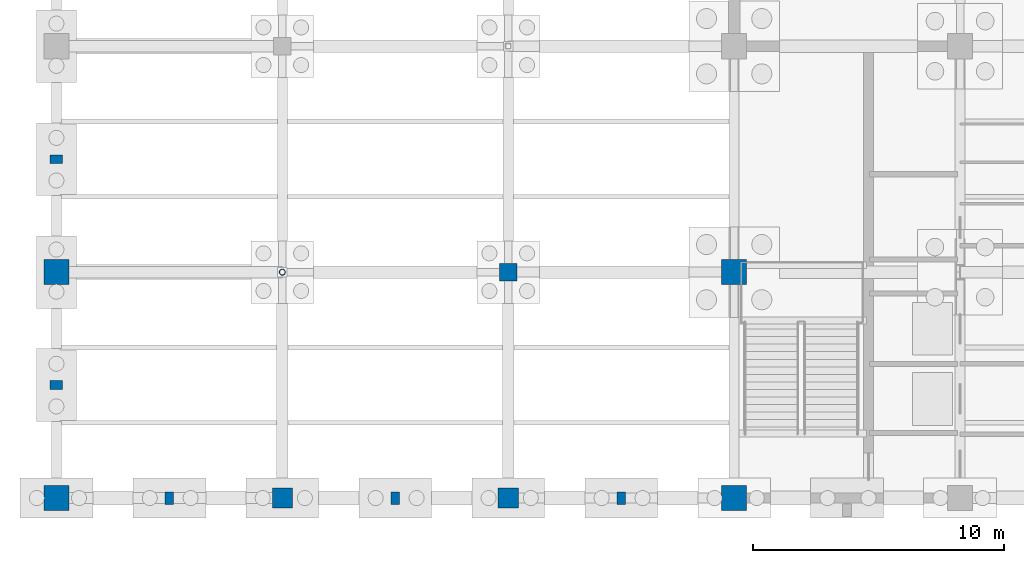
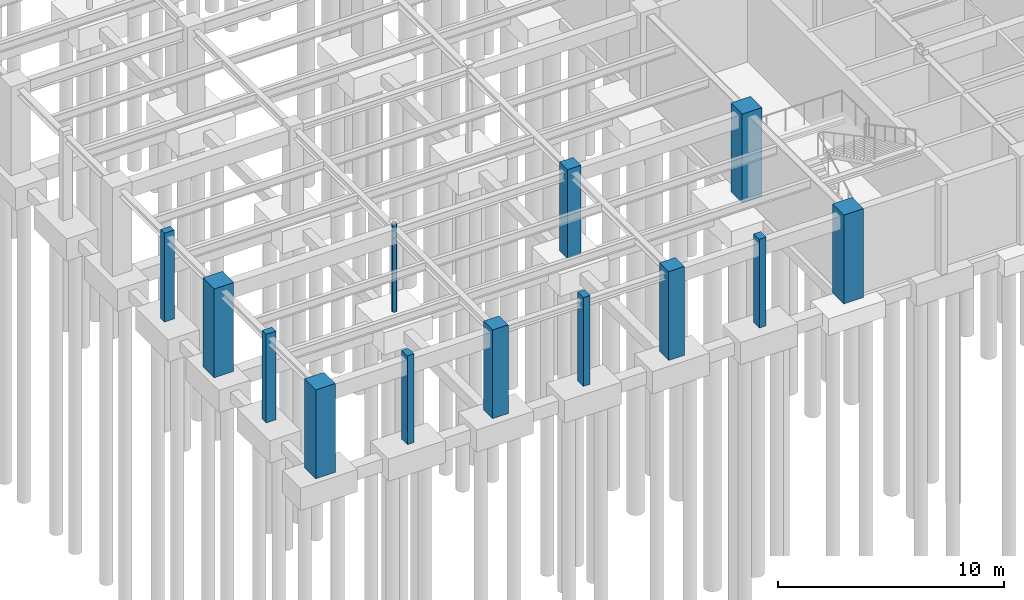
# One storey, part 10 of 49: 13 columns.
"""IFC4 building model written with IfcOpenShell, lengths in metres."""

from ifc_helpers import new_model, si_unit, direction, frame, origin, origin_2d, place, context, subcontext, project, spatial, rectangle, hollow_circle, extrude, material, material_profile, profile_set, type_object, element, save


model = new_model("IFC4")

# Units and contexts
model_context = context("Model", 3, precision=1e-05, world=origin(), true_north=direction((0.0, 1.0)))
body_context = subcontext(model_context, "Body", "Model", "MODEL_VIEW")
ifc_project = project(units=[si_unit("LENGTHUNIT", "METRE"), si_unit("AREAUNIT", "SQUARE_METRE"), si_unit("VOLUMEUNIT", "CUBIC_METRE"), si_unit("PLANEANGLEUNIT", "RADIAN"), si_unit("MASSUNIT", "GRAM", prefix="KILO")], contexts=[model_context])

# Site, building, storey
site_placement = place(None, origin())
site = spatial("IfcSite", under=ifc_project, at=site_placement, CompositionType="ELEMENT")
building_placement = place(site_placement, origin())
building = spatial("IfcBuilding", under=site, at=building_placement, Name="Lykobir Media Centre", CompositionType="ELEMENT")
storey_placement = place(building_placement, frame((0.0, 0.0, -4.800048828125)))
storey = spatial("IfcBuildingStorey", under=building, at=storey_placement, Name="B1", CompositionType="ELEMENT", Elevation=-4.800048828125)

# Columns
ifc_material_1 = material(Name="Honed Travertine Stone", Category="masonry")
ifc_material_profile_1 = material_profile(ifc_material_1, rectangle(XDim=0.35009765625, YDim=0.5, at=origin_2d()), Name="RC PILASTER 500x350")
ifc_profile_set_1 = profile_set([ifc_material_profile_1], Name="Honed Travertine Stone")
column_type_1 = type_object("IfcColumnType", Name="PIL-500", PredefinedType="PILASTER", material=ifc_profile_set_1)
for number, where, z_axis, x_axis, name in (
    (1, (4.5, 0.0, 0.0), (0.0, 0.0, 1.0), (1.0, 0.0, 0.0), "V1 south pilaster B1 4.5"),
    (2, (13.5, 0.0, 0.0), (0.0, 0.0, 1.0), (1.0, 0.0, 0.0), "V1 south pilaster B1 13.5"),
    (3, (22.5, 0.0, 0.0), (0.0, 0.0, 1.0), (1.0, 0.0, 0.0), "V1 south pilaster B1 22.5"),
    (4, (0.0, 4.5, 0.0), (0.0, 0.0, 1.0), (0.0, 1.0, 0.0), "V1 west pilaster B1 4.5"),
    (5, (0.0, 13.5, 0.0), (0.0, 0.0, 1.0), (0.0, 1.0, 0.0), "V1 west pilaster B1 13.5"),
):
    element("IfcColumn", number, at=place(storey_placement, frame(where, z_axis=z_axis, x_axis=x_axis)), inside=storey, type_object=column_type_1, Name=name, PredefinedType="PILASTER", context=body_context, shape_type="SweptSolid", body=[
        extrude(rectangle(XDim=0.35009765625, YDim=0.5, at=origin_2d()), origin(), (0.0, 0.0, 1.0), 4.800048828125),
    ])
ifc_material_2 = material(Name="Concrete C40/50", Category="concrete")
ifc_material_profile_2 = material_profile(ifc_material_2, rectangle(XDim=1.0, YDim=1.0, at=origin_2d()), Name="RC 1000x1000")
ifc_profile_set_2 = profile_set([ifc_material_profile_2], Name="Concrete C40/50")
column_type_2 = type_object("IfcColumnType", Name="RC-C1000", PredefinedType="COLUMN", material=ifc_profile_set_2)
column_1_placement = place(storey_placement, frame((27.0, 9.0, 0.0), z_axis=(0.0, 0.0, 1.0), x_axis=(1.0, 0.0, 0.0)))
element("IfcColumn", 6, at=column_1_placement, inside=storey, type_object=column_type_2, Name="Column COL-B1-0270-0090", PredefinedType="COLUMN", context=body_context, shape_type="SweptSolid", body=[
    extrude(rectangle(XDim=1.0, YDim=1.0, at=origin_2d()), origin(), (0.0, 0.0, 1.0), 4.800048828125),
])
ifc_material_profile_3 = material_profile(ifc_material_2, rectangle(XDim=1.0, YDim=1.0, at=origin_2d()), Name="RC 1000x1000")
ifc_profile_set_3 = profile_set([ifc_material_profile_3], Name="Concrete C40/50")
column_type_3 = type_object("IfcColumnType", Name="RC-C1000-E", PredefinedType="COLUMN", material=ifc_profile_set_3)
for number, where, z_axis, x_axis, name in (
    (7, (0.0, 0.0, 0.0), (0.0, 0.0, 1.0), (1.0, 0.0, 0.0), "Column COL-B1-0000-0000"),
    (8, (0.0, 9.0, 0.0), (0.0, 0.0, 1.0), (1.0, 0.0, 0.0), "Column COL-B1-0000-0090"),
    (9, (27.0, 0.0, 0.0), (0.0, 0.0, 1.0), (1.0, 0.0, 0.0), "Column COL-B1-0270-0000"),
):
    element("IfcColumn", number, at=place(storey_placement, frame(where, z_axis=z_axis, x_axis=x_axis)), inside=storey, type_object=column_type_3, Name=name, PredefinedType="COLUMN", context=body_context, shape_type="SweptSolid", body=[
        extrude(rectangle(XDim=1.0, YDim=1.0, at=origin_2d()), origin(), (0.0, 0.0, 1.0), 4.800048828125),
    ])
ifc_material_profile_4 = material_profile(ifc_material_2, rectangle(XDim=0.699951171875, YDim=0.699951171875, at=origin_2d()), Name="RC 700x700")
ifc_profile_set_4 = profile_set([ifc_material_profile_4], Name="Concrete C40/50")
column_type_4 = type_object("IfcColumnType", Name="RC-C700", PredefinedType="COLUMN", material=ifc_profile_set_4)
column_2_placement = place(storey_placement, frame((18.0, 9.0, 0.0), z_axis=(0.0, 0.0, 1.0), x_axis=(1.0, 0.0, 0.0)))
element("IfcColumn", 10, at=column_2_placement, inside=storey, type_object=column_type_4, Name="Column COL-B1-0180-0090", PredefinedType="COLUMN", context=body_context, shape_type="SweptSolid", body=[
    extrude(rectangle(XDim=0.699951171875, YDim=0.699951171875, at=origin_2d()), origin(), (0.0, 0.0, 1.0), 4.800048828125),
])
ifc_material_profile_5 = material_profile(ifc_material_2, rectangle(XDim=0.800048828125, YDim=0.800048828125, at=origin_2d()), Name="RC 800x800")
ifc_profile_set_5 = profile_set([ifc_material_profile_5], Name="Concrete C40/50")
column_type_5 = type_object("IfcColumnType", Name="RC-C800-E", PredefinedType="COLUMN", material=ifc_profile_set_5)
for number, where, z_axis, x_axis, name in (
    (11, (9.0, 0.0, 0.0), (0.0, 0.0, 1.0), (1.0, 0.0, 0.0), "Column COL-B1-0090-0000"),
    (12, (18.0, 0.0, 0.0), (0.0, 0.0, 1.0), (1.0, 0.0, 0.0), "Column COL-B1-0180-0000"),
):
    element("IfcColumn", number, at=place(storey_placement, frame(where, z_axis=z_axis, x_axis=x_axis)), inside=storey, type_object=column_type_5, Name=name, PredefinedType="COLUMN", context=body_context, shape_type="SweptSolid", body=[
        extrude(rectangle(XDim=0.800048828125, YDim=0.800048828125, at=origin_2d()), origin(), (0.0, 0.0, 1.0), 4.800048828125),
    ])
ifc_material_3 = material(Name="Steel S355", Category="steel")
ifc_material_profile_6 = material_profile(ifc_material_3, hollow_circle(Radius=0.122314453125, WallThickness=0.012451171875, at=origin_2d()), Name="CHS 244.5x12.5")
ifc_profile_set_6 = profile_set([ifc_material_profile_6], Name="Steel S355")
column_type_6 = type_object("IfcColumnType", Name="SC-CHS244", PredefinedType="COLUMN", material=ifc_profile_set_6)
column_3_placement = place(storey_placement, frame((9.0, 9.0, 0.0), z_axis=(0.0, 0.0, 1.0), x_axis=(1.0, 0.0, 0.0)))
element("IfcColumn", 13, at=column_3_placement, inside=storey, type_object=column_type_6, Name="Column COL-B1-0090-0090", PredefinedType="COLUMN", context=body_context, shape_type="SweptSolid", body=[
    extrude(hollow_circle(Radius=0.122314453125, WallThickness=0.012451171875, at=origin_2d()), origin(), (0.0, 0.0, 1.0), 4.800048828125),
])

save(model, "model.ifc")
